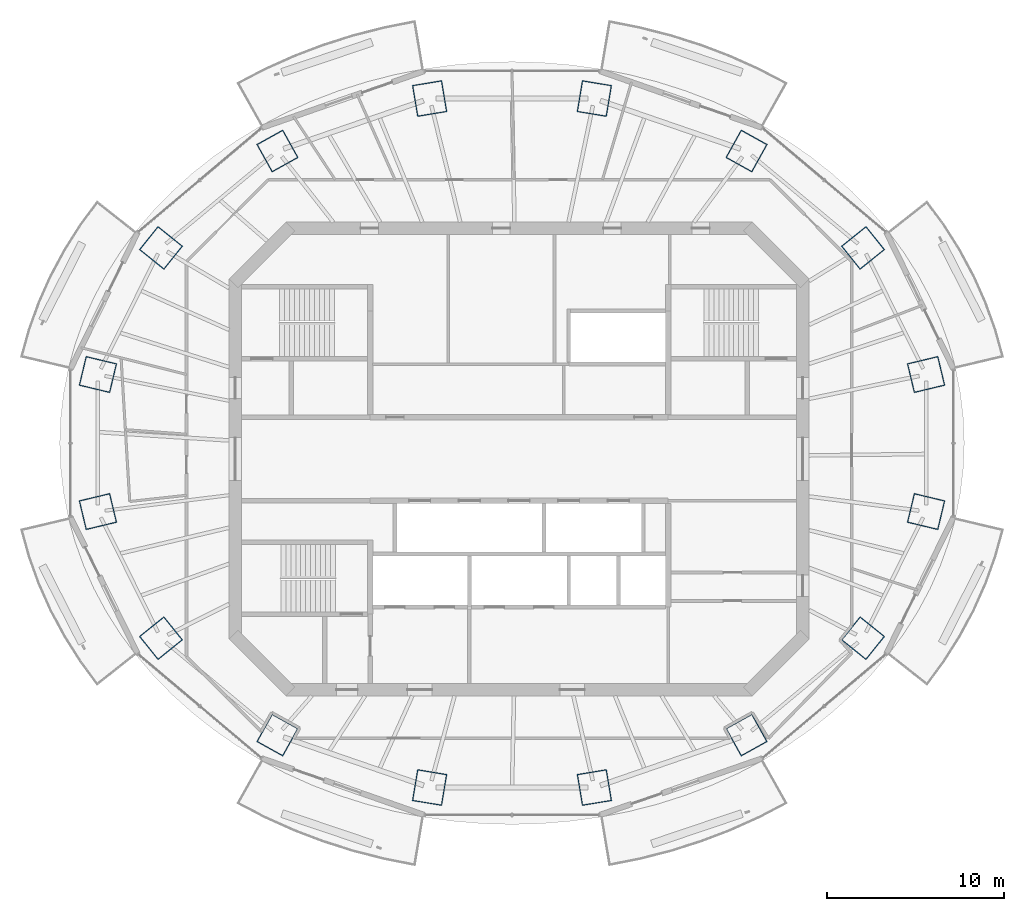
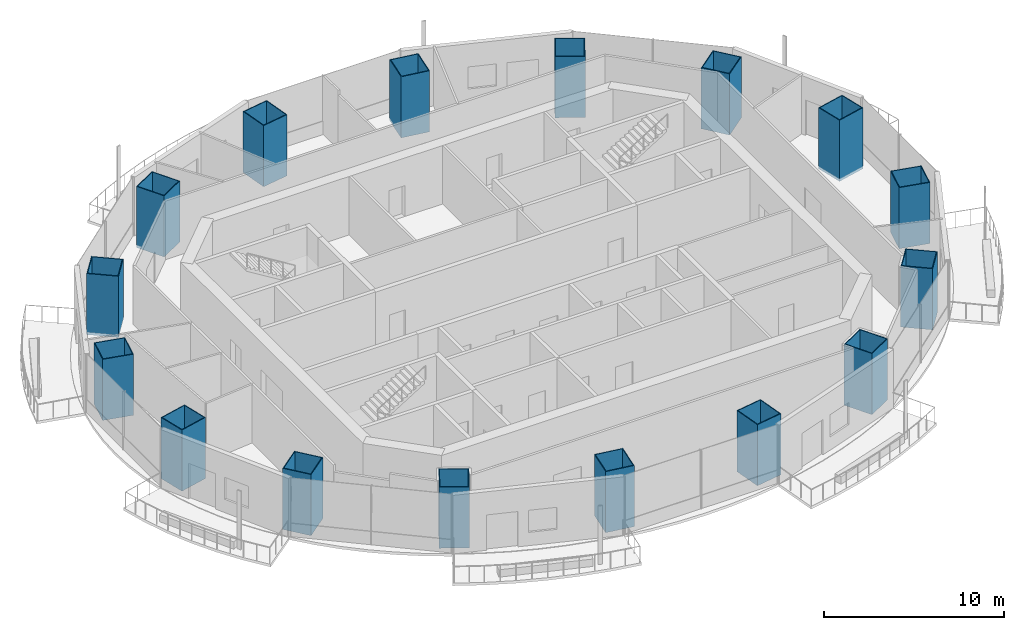
# One storey, part 1 of 15: 16 columns.
"""IFC4 building model written with IfcOpenShell, lengths in metres."""

from ifc_helpers import new_model, si_unit, direction, frame, origin, origin_2d, place, context, subcontext, project, spatial, rectangle, hollow_rectangle, extrude, material, material_profile, profile_set, type_object, element, save


model = new_model("IFC4")

# Units and contexts
model_context = context("Model", 3, precision=1e-05, world=origin(), true_north=direction((0.0, 1.0)))
body_context = subcontext(model_context, "Body", "Model", "MODEL_VIEW")
ifc_project = project(units=[si_unit("LENGTHUNIT", "METRE"), si_unit("AREAUNIT", "SQUARE_METRE"), si_unit("VOLUMEUNIT", "CUBIC_METRE"), si_unit("PLANEANGLEUNIT", "RADIAN"), si_unit("MASSUNIT", "GRAM", prefix="KILO")], contexts=[model_context])

# Site, building, storey
site_placement = place(None, origin())
site = spatial("IfcSite", under=ifc_project, at=site_placement, CompositionType="ELEMENT")
building_placement = place(site_placement, origin())
building = spatial("IfcBuilding", under=site, at=building_placement, Name="Marenthal Gate Tower", CompositionType="ELEMENT")
storey_placement = place(building_placement, frame((0.0, 0.0, 384.10009765625)))
storey = spatial("IfcBuildingStorey", under=building, at=storey_placement, Name="L87", CompositionType="ELEMENT", Elevation=384.10009765625)

# Columns
ifc_material_1 = material(Name="Steel S460", Category="steel")
ifc_material_profile_1 = material_profile(ifc_material_1, hollow_rectangle(XDim=1.699951171875, YDim=1.800048828125, WallThickness=0.050048828125, at=origin_2d()), Name="CFT BOX 1800X1700X50")
ifc_material_2 = material(Name="Concrete 70 MPa", Category="concrete")
ifc_material_profile_2 = material_profile(ifc_material_2, rectangle(XDim=1.60009765625, YDim=1.699951171875, at=origin_2d()), Name="CFT BOX 1800X1700X50 INFILL")
ifc_profile_set = profile_set([ifc_material_profile_1, ifc_material_profile_2], Name="Steel S460 shell, Concrete 70 MPa infill")
column_type = type_object("IfcColumnType", Name="CFT BOX 1800X1700X50", PredefinedType="COLUMN", material=ifc_profile_set)
for number, where, z_axis, x_axis, name in (
    (1, (22.942626953125, 4.7626953125, -0.18017578125), (0.0, 0.0, 1.0), (0.23254240314, -0.972586258767, 0.0), "COL-L87-01"),
    (2, (19.388916015625, 11.900390625, -0.18017578125), (0.0, 0.0, 1.0), (0.626198386629, -0.779663761235, 0.0), "COL-L87-02"),
    (3, (12.822509765625, 17.363037109375, -0.18017578125), (0.0, 0.0, 1.0), (0.874036923868, -0.485859502032, 0.0), "COL-L87-03"),
    (4, (4.2431640625, 20.319580078125, -0.18017578125), (0.0, 0.0, 1.0), (0.98658270668, -0.163262251851, 0.0), "COL-L87-04"),
    (5, (-5.043212890625, 20.319580078125, -0.18017578125), (0.0, 0.0, 1.0), (0.98658270668, 0.163262251851, 0.0), "COL-L87-05"),
    (6, (-13.62255859375, 17.363037109375, -0.18017578125), (0.0, 0.0, 1.0), (0.874036923868, 0.485859502032, 0.0), "COL-L87-06"),
    (7, (-20.18896484375, 11.900390625, -0.18017578125), (0.0, 0.0, 1.0), (0.626198386629, 0.779663761235, 0.0), "COL-L87-07"),
    (8, (-23.74267578125, 4.7626953125, -0.18017578125), (0.0, 0.0, 1.0), (0.23254240314, 0.972586258767, 0.0), "COL-L87-08"),
    (9, (-23.74267578125, -2.962890625, -0.18017578125), (0.0, 0.0, 1.0), (-0.23254240314, 0.972586258767, 0.0), "COL-L87-09"),
    (10, (-20.18896484375, -10.100341796875, -0.18017578125), (0.0, 0.0, 1.0), (-0.626198386629, 0.779663761235, 0.0), "COL-L87-10"),
    (11, (-13.62255859375, -15.56298828125, -0.18017578125), (0.0, 0.0, 1.0), (-0.874036923868, 0.485859502032, 0.0), "COL-L87-11"),
    (12, (-5.043212890625, -18.51953125, -0.18017578125), (0.0, 0.0, 1.0), (-0.98658270668, 0.163262251851, 0.0), "COL-L87-12"),
    (13, (4.2431640625, -18.51953125, -0.18017578125), (0.0, 0.0, 1.0), (-0.98658270668, -0.163262251851, 0.0), "COL-L87-13"),
    (14, (12.822509765625, -15.56298828125, -0.18017578125), (0.0, 0.0, 1.0), (-0.874036923868, -0.485859502032, 0.0), "COL-L87-14"),
    (15, (19.388916015625, -10.100341796875, -0.18017578125), (0.0, 0.0, 1.0), (-0.626198386629, -0.779663761235, 0.0), "COL-L87-15"),
    (16, (22.942626953125, -2.962890625, -0.18017578125), (0.0, 0.0, 1.0), (-0.23254240314, -0.972586258767, 0.0), "COL-L87-16"),
):
    element("IfcColumn", number, at=place(storey_placement, frame(where, z_axis=z_axis, x_axis=x_axis)), inside=storey, type_object=column_type, Name=name, PredefinedType="COLUMN", context=body_context, shape_type="SweptSolid", body=[
        extrude(hollow_rectangle(XDim=1.699951171875, YDim=1.800048828125, WallThickness=0.050048828125, at=origin_2d()), origin(), (0.0, 0.0, 1.0), 4.150146484375),
    ])

save(model, "model.ifc")
